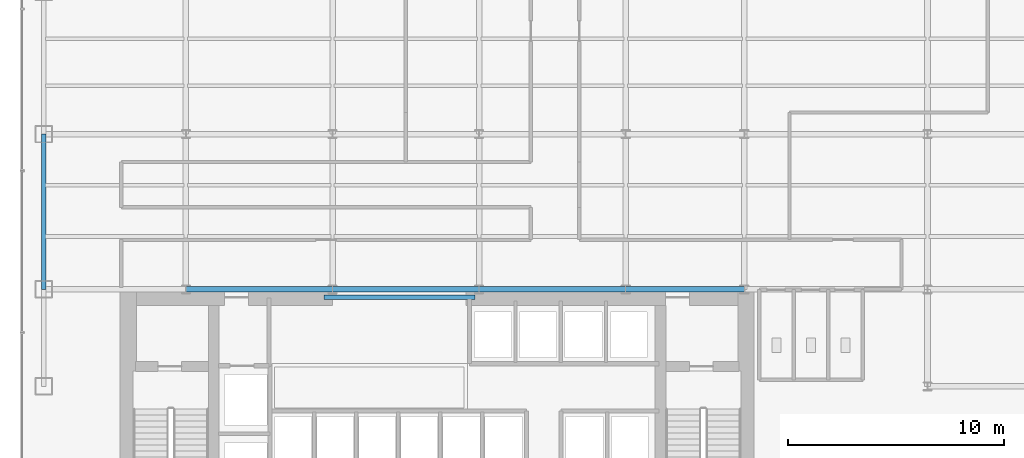
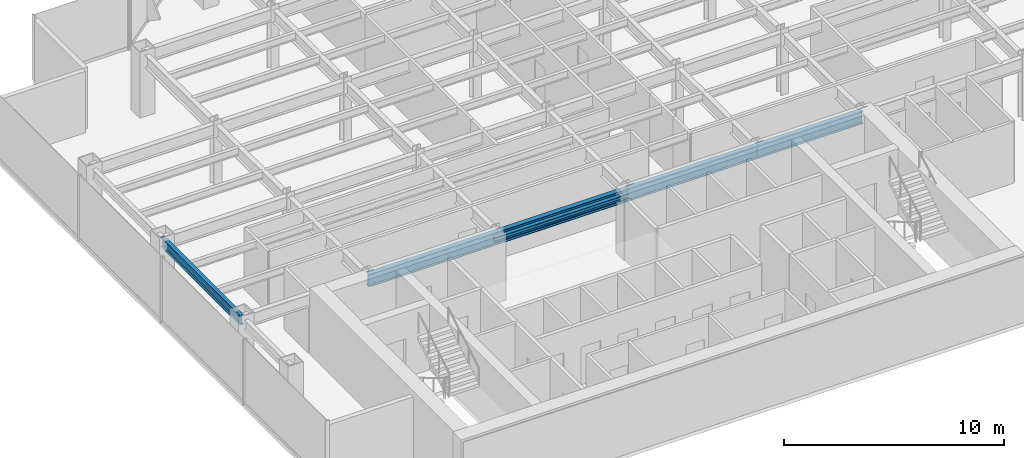
# One storey, part 3 of 26: 6 beams.
"""IFC4 building model written with IfcOpenShell, lengths in metres."""

from ifc_helpers import new_model, si_unit, derived_unit, direction, frame, origin, origin_2d, place, context, subcontext, project, spatial, i_section, extrude, source, transform, mapped, material, material_profile, profile_set, type_object, element, save


model = new_model("IFC4")

# Units and contexts
model_context = context("Model", 3, precision=1e-05, world=origin(), true_north=direction((0.0, 1.0)))
body_context = subcontext(model_context, "Body", "Model", "MODEL_VIEW")
ifc_project = project(units=[si_unit("LENGTHUNIT", "METRE"), si_unit("AREAUNIT", "SQUARE_METRE"), si_unit("VOLUMEUNIT", "CUBIC_METRE"), si_unit("PLANEANGLEUNIT", "RADIAN"), si_unit("MASSUNIT", "GRAM", prefix="KILO"), derived_unit("THERMALTRANSMITTANCEUNIT", [(si_unit("POWERUNIT", "WATT"), 1), (si_unit("LENGTHUNIT", "METRE"), -2), (si_unit("THERMODYNAMICTEMPERATUREUNIT", "KELVIN"), -1)])], contexts=[model_context])

# Site, building, storey
site_placement = place(None, origin())
site = spatial("IfcSite", under=ifc_project, at=site_placement, CompositionType="ELEMENT")
building_placement = place(site_placement, origin())
building = spatial("IfcBuilding", under=site, at=building_placement, Name="Skarnbrae Concourse Arena and Tower", CompositionType="ELEMENT")
storey_placement = place(building_placement, frame((0.0, 0.0, 114.199951171875)))
storey = spatial("IfcBuildingStorey", under=building, at=storey_placement, Name="L28", CompositionType="ELEMENT", Elevation=114.199951171875)

# Beams
ifc_material = material(Name="Steel CSA G40.21 350W", Category="steel")
ifc_material_profile_1 = material_profile(ifc_material, i_section(OverallWidth=0.202880859375, OverallDepth=0.251953125, WebThickness=0.008056640625, FlangeThickness=0.013427734375, at=origin_2d()), Name="W250X58")
ifc_profile_set_1 = profile_set([ifc_material_profile_1], Name="Steel CSA G40.21 350W")
beam_type_1 = type_object("IfcBeamType", Name="BM-LINTEL-W250X58", PredefinedType="LINTEL", material=ifc_profile_set_1)
shared_shape_1 = source(origin(), body_context, "Body", "SweptSolid", [
    extrude(i_section(OverallWidth=0.202880859375, OverallDepth=0.251953125, WebThickness=0.008056640625, FlangeThickness=0.013427734375, at=origin_2d()), origin(), (0.0, 0.0, 1.0), 7.0),
])
beam_1_placement = place(storey_placement, frame((14.0, 13.625, 3.274169921875), z_axis=(1.0, 0.0, 0.0), x_axis=(0.0, 1.0, 0.0)))
element("IfcBeam", 1, at=beam_1_placement, inside=storey, type_object=beam_type_1, Name="L28 Core portal coupling lintel", PredefinedType="LINTEL", context=body_context, shape_type="MappedRepresentation", body=[
    mapped(shared_shape_1, transform((0.0, 0.0, 0.0))),
])
ifc_material_profile_2 = material_profile(ifc_material, i_section(OverallWidth=0.256103515625, OverallDepth=0.693115234375, WebThickness=0.014404296875, FlangeThickness=0.023681640625, at=origin_2d()), Name="W690X170")
ifc_profile_set_2 = profile_set([ifc_material_profile_2], Name="Steel CSA G40.21 350W")
beam_type_2 = type_object("IfcBeamType", Name="BM-GIRD-W690X170", PredefinedType="BEAM", material=ifc_profile_set_2)
shared_shape_2 = source(origin(), body_context, "Body", "SweptSolid", [
    extrude(i_section(OverallWidth=0.256103515625, OverallDepth=0.693115234375, WebThickness=0.014404296875, FlangeThickness=0.023681640625, at=origin_2d()), origin(), (0.0, 0.0, 1.0), 6.7998046875),
])
beam_2_placement = place(storey_placement, frame((7.60009765625, 14.0, 3.053466796875), z_axis=(1.0, 0.0, 0.0), x_axis=(0.0, 1.0, 0.0)))
element("IfcBeam", 2, at=beam_2_placement, inside=storey, type_object=beam_type_2, Name="L28 Primary E-W girder Y14.0-2", PredefinedType="BEAM", context=body_context, shape_type="MappedRepresentation", body=[
    mapped(shared_shape_2, transform((0.0, 0.0, 0.0))),
])
shared_shape_3 = source(origin(), body_context, "Body", "SweptSolid", [
    extrude(i_section(OverallWidth=0.256103515625, OverallDepth=0.693115234375, WebThickness=0.014404296875, FlangeThickness=0.023681640625, at=origin_2d()), origin(), (0.0, 0.0, 1.0), 6.800048828125),
])
for number, where, z_axis, x_axis, name in (
    (3, (14.39990234375, 14.0, 3.053466796875), (1.0, 0.0, 0.0), (0.0, 1.0, 0.0), "L28 Primary E-W girder Y14.0-3"),
    (4, (21.199951171875, 14.0, 3.053466796875), (1.0, 0.0, 0.0), (0.0, 1.0, 0.0), "L28 Primary E-W girder Y14.0-4"),
):
    element("IfcBeam", number, at=place(storey_placement, frame(where, z_axis=z_axis, x_axis=x_axis)), inside=storey, type_object=beam_type_2, Name=name, PredefinedType="BEAM", context=body_context, shape_type="MappedRepresentation", body=[
        mapped(shared_shape_3, transform((0.0, 0.0, 0.0))),
    ])
shared_shape_4 = source(origin(), body_context, "Body", "SweptSolid", [
    extrude(i_section(OverallWidth=0.256103515625, OverallDepth=0.693115234375, WebThickness=0.014404296875, FlangeThickness=0.023681640625, at=origin_2d()), origin(), (0.0, 0.0, 1.0), 5.5),
])
beam_3_placement = place(storey_placement, frame((28.0, 14.0, 3.053466796875), z_axis=(1.0, 0.0, 0.0), x_axis=(0.0, 1.0, 0.0)))
element("IfcBeam", 5, at=beam_3_placement, inside=storey, type_object=beam_type_2, Name="L28 Primary E-W girder Y14.0-5", PredefinedType="BEAM", context=body_context, shape_type="MappedRepresentation", body=[
    mapped(shared_shape_4, transform((0.0, 0.0, 0.0))),
])
ifc_material_profile_3 = material_profile(ifc_material, i_section(OverallWidth=0.208984375, OverallDepth=0.532958984375, WebThickness=0.01025390625, FlangeThickness=0.015625, at=origin_2d()), Name="W530X92")
ifc_profile_set_3 = profile_set([ifc_material_profile_3], Name="Steel CSA G40.21 350W")
beam_type_3 = type_object("IfcBeamType", Name="BM-SPAN-W530X92", PredefinedType="SPANDREL", material=ifc_profile_set_3)
shared_shape_5 = source(origin(), body_context, "Body", "SweptSolid", [
    extrude(i_section(OverallWidth=0.208984375, OverallDepth=0.532958984375, WebThickness=0.01025390625, FlangeThickness=0.015625, at=origin_2d()), origin(), (0.0, 0.0, 1.0), 7.199951171875),
])
beam_4_placement = place(storey_placement, frame((1.0, 14.0, 3.133544921875), z_axis=(0.0, 1.0, 0.0), x_axis=(-1.0, 0.0, 0.0)))
element("IfcBeam", 6, at=beam_4_placement, inside=storey, type_object=beam_type_3, Name="L28 Perimeter spandrel X1.0-2", PredefinedType="SPANDREL", context=body_context, shape_type="MappedRepresentation", body=[
    mapped(shared_shape_5, transform((0.0, 0.0, 0.0))),
])

save(model, "model.ifc")
